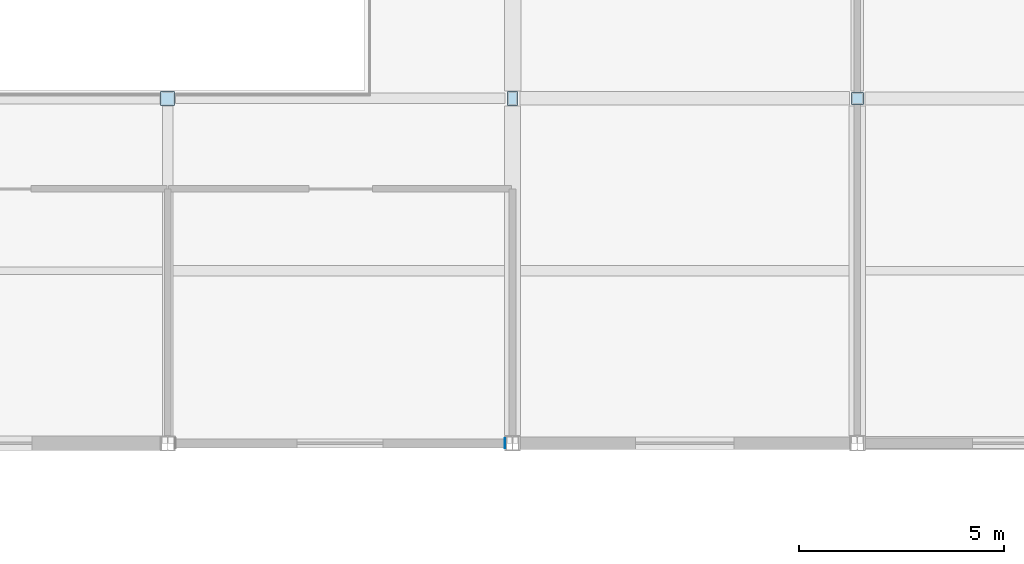
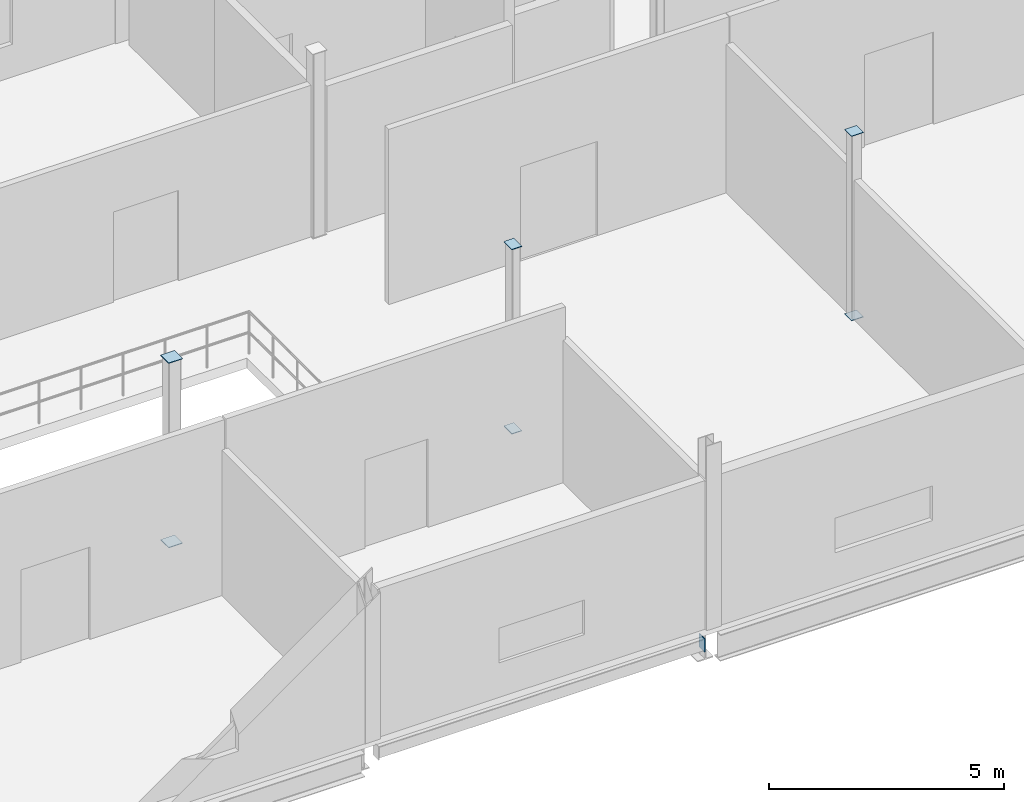
# One storey, part 22 of 45: 7 plates.
"""IFC4 building model written with IfcOpenShell, lengths in metres."""

from ifc_helpers import new_model, si_unit, direction, frame, origin, origin_2d, place, context, subcontext, project, spatial, rectangle, extrude, material, layer, layer_set, type_object, element, save


model = new_model("IFC4")

# Units and contexts
model_context = context("Model", 3, precision=1e-05, world=origin(), true_north=direction((0.0, 1.0)))
body_context = subcontext(model_context, "Body", "Model", "MODEL_VIEW")
ifc_project = project(units=[si_unit("LENGTHUNIT", "METRE"), si_unit("AREAUNIT", "SQUARE_METRE"), si_unit("VOLUMEUNIT", "CUBIC_METRE"), si_unit("PLANEANGLEUNIT", "RADIAN"), si_unit("MASSUNIT", "GRAM", prefix="KILO")], contexts=[model_context])

# Site, building, storey
site_placement = place(None, origin())
site = spatial("IfcSite", under=ifc_project, at=site_placement, CompositionType="ELEMENT")
building_placement = place(site_placement, origin())
building = spatial("IfcBuilding", under=site, at=building_placement, Name="Calvrana Isthmian Art Gallery", CompositionType="ELEMENT")
storey_placement = place(building_placement, frame((0.0, 0.0, 19.800048828125)))
storey = spatial("IfcBuildingStorey", under=building, at=storey_placement, Name="L04", CompositionType="ELEMENT", Elevation=19.800048828125)

# Plates
ifc_material = material(Name="Steel ASTM A572 Gr 50", Category="steel")
ifc_layer = layer(ifc_material, 0.01611328125, Name="Steel ASTM A572 Gr 50")
ifc_layer_set = layer_set([ifc_layer], Name="Steel ASTM A572 Gr 50")
plate_type = type_object("IfcPlateType", Name="PL-CAP-16", PredefinedType="SHEET", material=ifc_layer_set)
for number, where, z_axis, x_axis, name in (
    (1, (55.199951171875, 30.0, -0.008056640625), (0.0, 0.0, 1.0), (1.0, 0.0, 0.0), "Hollow section end cap plate 101"),
    (2, (55.199951171875, 30.0, 4.7919921875), (0.0, 0.0, 1.0), (1.0, 0.0, 0.0), "Hollow section end cap plate 102"),
):
    element("IfcPlate", number, at=place(storey_placement, frame(where, z_axis=z_axis, x_axis=x_axis)), inside=storey, type_object=plate_type, Name=name, PredefinedType="SHEET", context=body_context, shape_type="SweptSolid", body=[
        extrude(rectangle(XDim=0.3447265625, YDim=0.3447265625, at=origin_2d()), origin(), (0.0, 0.0, 1.0), 0.01611328125),
    ])
for number, where, z_axis, x_axis, name in (
    (3, (63.60009765625, 30.0, -0.008056640625), (0.0, 0.0, 1.0), (1.0, 0.0, 0.0), "Hollow section end cap plate 133"),
    (4, (63.60009765625, 30.0, 4.7919921875), (0.0, 0.0, 1.0), (1.0, 0.0, 0.0), "Hollow section end cap plate 134"),
):
    element("IfcPlate", number, at=place(storey_placement, frame(where, z_axis=z_axis, x_axis=x_axis)), inside=storey, type_object=plate_type, Name=name, PredefinedType="SHEET", context=body_context, shape_type="SweptSolid", body=[
        extrude(rectangle(XDim=0.2431640625, YDim=0.3447265625, at=origin_2d()), origin(), (0.0, 0.0, 1.0), 0.01611328125),
    ])
for number, where, z_axis, x_axis, name in (
    (5, (72.0, 30.0, -0.008056640625), (0.0, 0.0, 1.0), (1.0, 0.0, 0.0), "Hollow section end cap plate 165"),
    (6, (72.0, 30.0, 4.7919921875), (0.0, 0.0, 1.0), (1.0, 0.0, 0.0), "Hollow section end cap plate 166"),
):
    element("IfcPlate", number, at=place(storey_placement, frame(where, z_axis=z_axis, x_axis=x_axis)), inside=storey, type_object=plate_type, Name=name, PredefinedType="SHEET", context=body_context, shape_type="SweptSolid", body=[
        extrude(rectangle(XDim=0.2939453125, YDim=0.2939453125, at=origin_2d()), origin(), (0.0, 0.0, 1.0), 0.01611328125),
    ])
plate_placement = place(storey_placement, frame((63.41357421875, 21.60009765625, -0.58984375), z_axis=(0.0, 0.0, 1.0), x_axis=(1.0, 0.0, 0.0)))
element("IfcPlate", 7, at=plate_placement, inside=storey, type_object=plate_type, Name="Hollow section end cap plate 488", PredefinedType="SHEET", context=body_context, shape_type="SweptSolid", body=[
    extrude(rectangle(XDim=0.01611328125, YDim=0.2431640625, at=origin_2d()), origin(), (0.0, 0.0, 1.0), 0.3447265625),
])

save(model, "model.ifc")
